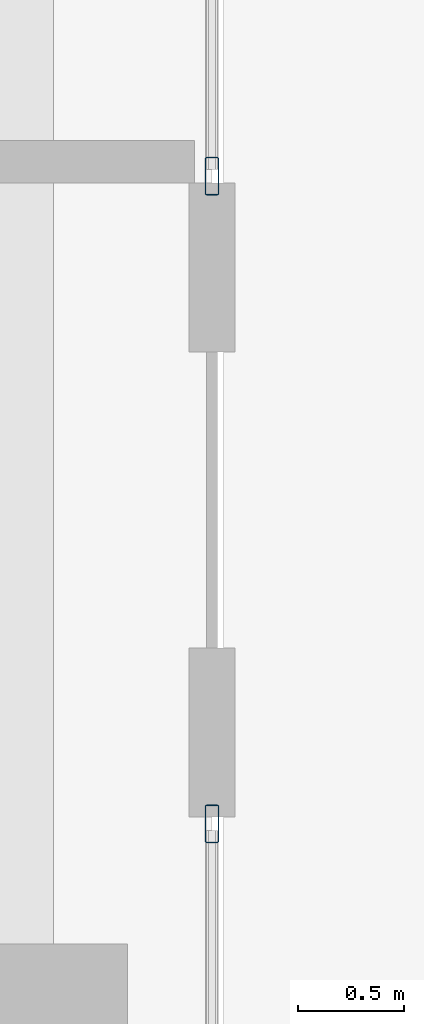
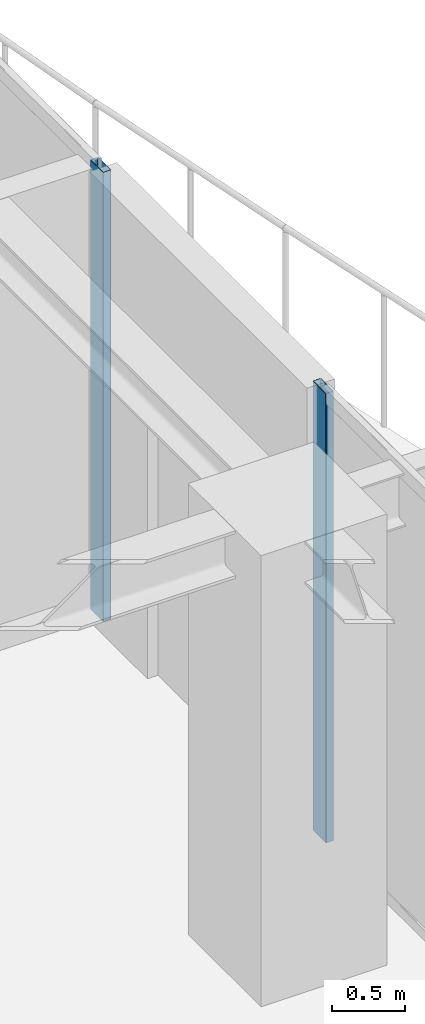
# One storey, part 18 of 39: 2 members, 2 elements without a shape of their own.
"""IFC4 building model written with IfcOpenShell, lengths in metres."""

from ifc_helpers import new_model, si_unit, direction, frame, origin, origin_2d, place, context, subcontext, project, spatial, hollow_rectangle, extrude, source, transform, mapped, material, layer, layer_set, material_profile, profile_set, type_object, element, aggregate, save


model = new_model("IFC4")

# Units and contexts
model_context = context("Model", 3, precision=1e-05, world=origin(), true_north=direction((0.0, 1.0)))
body_context = subcontext(model_context, "Body", "Model", "MODEL_VIEW")
ifc_project = project(units=[si_unit("LENGTHUNIT", "METRE"), si_unit("AREAUNIT", "SQUARE_METRE"), si_unit("VOLUMEUNIT", "CUBIC_METRE"), si_unit("PLANEANGLEUNIT", "RADIAN"), si_unit("MASSUNIT", "GRAM", prefix="KILO")], contexts=[model_context])

# Site, building, storey
site_placement = place(None, origin())
site = spatial("IfcSite", under=ifc_project, at=site_placement, CompositionType="ELEMENT")
building_placement = place(site_placement, origin())
building = spatial("IfcBuilding", under=site, at=building_placement, Name="Serunith Strait Residences", CompositionType="ELEMENT")
storey_placement = place(building_placement, frame((0.0, 0.0, 329.89990234375)))
storey = spatial("IfcBuildingStorey", under=building, at=storey_placement, Name="L82", CompositionType="ELEMENT", Elevation=329.89990234375)

# Curtain wall, member
ifc_material = material(Name="Brushed Stainless-Silver Aluminium", Category="aluminium")
ifc_layer = layer(ifc_material, 0.199951171875, Name="Brushed Stainless-Silver Aluminium")
ifc_layer_set = layer_set([ifc_layer], Name="Brushed Stainless-Silver Aluminium")
curtain_wall_type = type_object("IfcCurtainWallType", Name="CW-SYS5", PredefinedType="NOTDEFINED", material=ifc_layer_set)
curtain_wall_1_placement = place(storey_placement, origin())
curtain_wall_1 = element("IfcCurtainWall", 1, at=curtain_wall_1_placement, inside=storey, type_object=curtain_wall_type, Name="L82 E Unitised Fritted Curtain Wall", PredefinedType="NOTDEFINED")
ifc_material_profile = material_profile(ifc_material, hollow_rectangle(XDim=0.06494140625, YDim=0.179931640625, WallThickness=0.00341796875, InnerFilletRadius=0.00537109375, OuterFilletRadius=0.0087890625, at=origin_2d()), Name="ALU 180x65x3.5")
ifc_profile_set = profile_set([ifc_material_profile], Name="Brushed Stainless-Silver Aluminium")
member_type = type_object("IfcMemberType", Name="CW-SYS5-MULL", PredefinedType="MULLION", material=ifc_profile_set)
shared_shape = source(origin(), body_context, "Body", "SweptSolid", [
    extrude(hollow_rectangle(XDim=0.06494140625, YDim=0.179931640625, WallThickness=0.00341796875, InnerFilletRadius=0.00537109375, OuterFilletRadius=0.0087890625, at=origin_2d()), origin(), (0.0, 0.0, 1.0), 3.775146484375),
])
member_1_placement = place(storey_placement, frame((55.60009765625, 30.467529296875, 0.0), z_axis=(0.0, 0.0, 1.0), x_axis=(-1.0, 0.0, 0.0)))
member_1 = element("IfcMember", 2, at=member_1_placement, type_object=member_type, Name="CW-5 mullion 4", PredefinedType="MULLION", context=body_context, shape_type="MappedRepresentation", body=[
    mapped(shared_shape, transform((0.0, 0.0, 0.0), scale=1.0)),
])
aggregate(curtain_wall_1, [member_1])

curtain_wall_2_placement = place(storey_placement, origin())
curtain_wall_2 = element("IfcCurtainWall", 3, at=curtain_wall_2_placement, inside=storey, type_object=curtain_wall_type, Name="L82 E Unitised Fritted Curtain Wall", PredefinedType="NOTDEFINED")
member_2_placement = place(storey_placement, frame((55.60009765625, 33.532470703125, 0.0), z_axis=(0.0, 0.0, 1.0), x_axis=(-1.0, 0.0, 0.0)))
member_2 = element("IfcMember", 4, at=member_2_placement, type_object=member_type, Name="CW-5 mullion 1", PredefinedType="MULLION", context=body_context, shape_type="MappedRepresentation", body=[
    mapped(shared_shape, transform((0.0, 0.0, 0.0), scale=1.0)),
])
aggregate(curtain_wall_2, [member_2])

save(model, "model.ifc")
